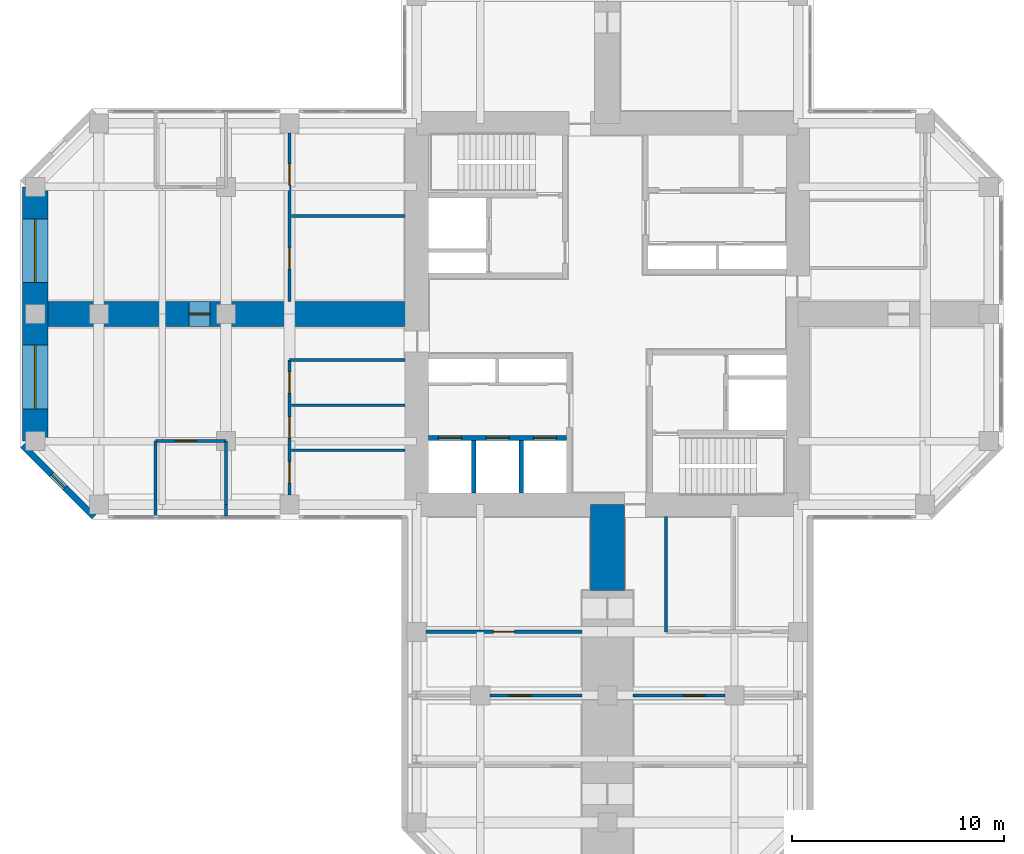
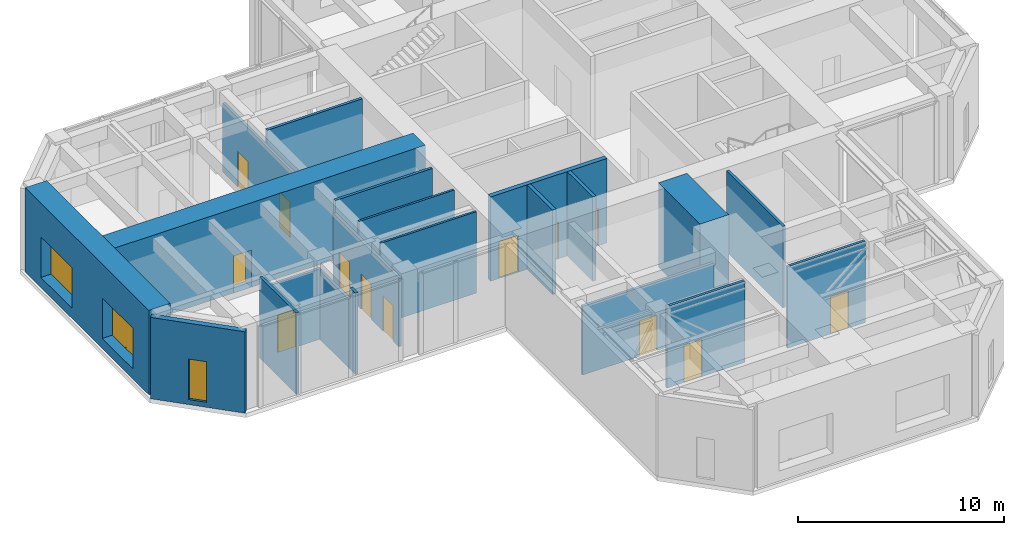
# One storey, part 6 of 10: 21 walls, 13 doors, 3 windows, 16 openings.
"""IFC4 building model written with IfcOpenShell, lengths in metres."""

from ifc_helpers import new_model, si_unit, direction, frame, frame_2d, origin, place, context, subcontext, project, spatial, rectangle, hollow_rectangle, extrude, material, layer, layer_set, constituent, constituent_set, type_object, element, fill, save


model = new_model("IFC4")

# Units and contexts
model_context = context("Model", 3, precision=1e-05, world=origin(), true_north=direction((0.0, 1.0)))
body_context = subcontext(model_context, "Body", "Model", "MODEL_VIEW")
ifc_project = project(units=[si_unit("LENGTHUNIT", "METRE"), si_unit("AREAUNIT", "SQUARE_METRE"), si_unit("VOLUMEUNIT", "CUBIC_METRE"), si_unit("PLANEANGLEUNIT", "RADIAN"), si_unit("MASSUNIT", "GRAM", prefix="KILO")], contexts=[model_context])

# Site, building, storey
site_placement = place(None, origin())
site = spatial("IfcSite", under=ifc_project, at=site_placement, CompositionType="ELEMENT")
building_placement = place(site_placement, origin())
building = spatial("IfcBuilding", under=site, at=building_placement, Name="Torre Cruceta", CompositionType="ELEMENT")
storey_placement = place(building_placement, frame((0.0, 0.0, 217.10009765625)))
storey = spatial("IfcBuildingStorey", under=building, at=storey_placement, Name="L55", CompositionType="ELEMENT", Elevation=217.10009765625)

# Wall, openings, doors
ifc_material_1 = material(Name="Concrete G60 (fck 60 MPa)", Category="concrete")
ifc_layer_1 = layer(ifc_material_1, 0.25)
ifc_layer_set_1 = layer_set([ifc_layer_1], Name="Concrete G60 (fck 60 MPa)")
wall_type_1 = type_object("IfcWallType", Name="CORE INNER WALL 250 G60", PredefinedType="SHEAR", material=ifc_layer_set_1)
wall_1_placement = place(storey_placement, frame((-1.925048828125, -5.85009765625, 0.0), z_axis=(0.0, 0.0, 1.0), x_axis=(-1.0, 0.0, 0.0)))
wall_1 = element("IfcWall", 1, at=wall_1_placement, inside=storey, type_object=wall_type_1, Name="CW4 L55 SW-LV", PredefinedType="SHEAR", context=body_context, shape_type="SweptSolid", body=[
    extrude(rectangle(XDim=6.52490234375, YDim=0.25, at=frame_2d((3.262451171875, 0.0))), origin(), (0.0, 0.0, 1.0), 5.0),
])
opening_1_placement = place(wall_1_placement, frame((0.470947265625, 0.0, 0.0)))
opening_1 = element("IfcOpeningElement", 2, at=opening_1_placement, cuts=wall_1, Name="Opening LD1", PredefinedType="OPENING", context=body_context, shape_type="SweptSolid", body=[
    extrude(rectangle(XDim=1.10009765625, YDim=2.199951171875, at=frame_2d((0.550048828125, 1.10009765625))), frame((0.0, 0.135009765625, 0.0), z_axis=(0.0, -1.0, 0.0), x_axis=(1.0, 0.0, 0.0)), (0.0, 0.0, 1.0), 0.27001953125),
])
opening_2_placement = place(wall_1_placement, frame((2.71240234375, 0.0, 0.0)))
opening_2 = element("IfcOpeningElement", 3, at=opening_2_placement, cuts=wall_1, Name="Opening LD1", PredefinedType="OPENING", context=body_context, shape_type="SweptSolid", body=[
    extrude(rectangle(XDim=1.10009765625, YDim=2.199951171875, at=frame_2d((0.550048828125, 1.10009765625))), frame((0.0, 0.135009765625, 0.0), z_axis=(0.0, -1.0, 0.0), x_axis=(1.0, 0.0, 0.0)), (0.0, 0.0, 1.0), 0.27001953125),
])
opening_3_placement = place(wall_1_placement, frame((4.9541015625, 0.0, 0.0)))
opening_3 = element("IfcOpeningElement", 4, at=opening_3_placement, cuts=wall_1, Name="Opening LD1", PredefinedType="OPENING", context=body_context, shape_type="SweptSolid", body=[
    extrude(rectangle(XDim=1.10009765625, YDim=2.199951171875, at=frame_2d((0.550048828125, 1.10009765625))), frame((0.0, 0.135009765625, 0.0), z_axis=(0.0, -1.0, 0.0), x_axis=(1.0, 0.0, 0.0)), (0.0, 0.0, 1.0), 0.27001953125),
])
ifc_material_2 = material(Name="Stainless steel 1.4401", Category="steel")
door_type_1 = type_object("IfcDoorType", Name="LIFT LANDING DOOR 1100X2200", OperationType="DOUBLE_DOOR_SLIDING", PredefinedType="DOOR", material=ifc_material_2)
door_1_placement = place(opening_1_placement, origin())
door_1 = element("IfcDoor", 5, at=door_1_placement, inside=storey, type_object=door_type_1, Name="Lift landing door R1", OperationType="DOUBLE_DOOR_SLIDING", OverallHeight=2.199951171875, OverallWidth=1.10009765625, PredefinedType="DOOR", context=body_context, shape_type="SweptSolid", body=[
    extrude(rectangle(XDim=1.10009765625, YDim=2.199951171875, at=frame_2d((0.550048828125, 1.10009765625))), frame((0.0, 0.02490234375, 0.0), z_axis=(0.0, -1.0, 0.0), x_axis=(1.0, 0.0, 0.0)), (0.0, 0.0, 1.0), 0.050048828125),
])
fill(opening_1, door_1)
door_2_placement = place(opening_2_placement, origin())
door_2 = element("IfcDoor", 6, at=door_2_placement, inside=storey, type_object=door_type_1, Name="Lift landing door R2", OperationType="DOUBLE_DOOR_SLIDING", OverallHeight=2.199951171875, OverallWidth=1.10009765625, PredefinedType="DOOR", context=body_context, shape_type="SweptSolid", body=[
    extrude(rectangle(XDim=1.10009765625, YDim=2.199951171875, at=frame_2d((0.550048828125, 1.10009765625))), frame((0.0, 0.02490234375, 0.0), z_axis=(0.0, -1.0, 0.0), x_axis=(1.0, 0.0, 0.0)), (0.0, 0.0, 1.0), 0.050048828125),
])
fill(opening_2, door_2)
door_3_placement = place(opening_3_placement, origin())
door_3 = element("IfcDoor", 7, at=door_3_placement, inside=storey, type_object=door_type_1, Name="Lift landing door R3", OperationType="DOUBLE_DOOR_SLIDING", OverallHeight=2.199951171875, OverallWidth=1.10009765625, PredefinedType="DOOR", context=body_context, shape_type="SweptSolid", body=[
    extrude(rectangle(XDim=1.10009765625, YDim=2.199951171875, at=frame_2d((0.550048828125, 1.10009765625))), frame((0.0, 0.02490234375, 0.0), z_axis=(0.0, -1.0, 0.0), x_axis=(1.0, 0.0, 0.0)), (0.0, 0.0, 1.0), 0.050048828125),
])
fill(opening_3, door_3)

# Wall, opening, window
ifc_material_3 = material(Name="Concrete G30 (fck 30 MPa)", Category="concrete")
ifc_layer_2 = layer(ifc_material_3, 0.300048828125)
ifc_layer_set_2 = layer_set([ifc_layer_2], Name="Concrete G30 (fck 30 MPa)")
wall_type_2 = type_object("IfcWallType", Name="EXPOSED CONCRETE FACADE WALL 300", PredefinedType="SOLIDWALL", material=ifc_layer_set_2)
wall_2_placement = place(storey_placement, frame((-27.60009765625, -6.2060546875, 0.0), z_axis=(0.0, 0.0, 1.0), x_axis=(0.707106781187, -0.707106781187, 0.0)))
wall_2 = element("IfcWall", 8, at=wall_2_placement, inside=storey, type_object=wall_type_2, Name="EW1 facade wall L55 W chamfer 13", PredefinedType="SOLIDWALL", context=body_context, shape_type="SweptSolid", body=[
    extrude(rectangle(XDim=4.75732421875, YDim=0.300048828125, at=frame_2d((2.378662109375, 0.0))), origin(), (0.0, 0.0, 1.0), 4.81982421875),
])
opening_4_placement = place(wall_2_placement, frame((1.9287109375, 0.0, 0.300048828125)))
opening_4 = element("IfcOpeningElement", 9, at=opening_4_placement, cuts=wall_2, Name="Opening WN5", PredefinedType="OPENING", context=body_context, shape_type="SweptSolid", body=[
    extrude(rectangle(XDim=0.89990234375, YDim=2.39990234375, at=frame_2d((0.449951171875, 1.199951171875))), frame((0.0, 0.159912109375, 0.0), z_axis=(0.0, -1.0, 0.0), x_axis=(1.0, 0.0, 0.0)), (0.0, 0.0, 1.0), 0.320068359375),
])
ifc_material_4 = material(Name="Aluminium window frame", Category="aluminium")
ifc_constituent_1 = constituent(ifc_material_4, Name="Frame")
ifc_material_5 = material(Name="Laminated insulating glass unit, low-iron clear", Category="glass")
ifc_constituent_2 = constituent(ifc_material_5, Name="Glazing")
ifc_constituent_set_1 = constituent_set(constituents=[ifc_constituent_1, ifc_constituent_2], Name="Aluminium window")
window_type_1 = type_object("IfcWindowType", Name="CHAMFER SLOT WINDOW 900X2400", PartitioningType="SINGLE_PANEL", PredefinedType="WINDOW", material=ifc_constituent_set_1)
window_1_placement = place(opening_4_placement, origin())
window_1 = element("IfcWindow", 10, at=window_1_placement, inside=storey, type_object=window_type_1, Name="WN5 L55 W 1", OverallHeight=2.39990234375, OverallWidth=0.89990234375, PartitioningType="SINGLE_PANEL", PredefinedType="WINDOW", context=body_context, shape_type="SweptSolid", body=[
    extrude(hollow_rectangle(XDim=0.89990234375, YDim=2.39990234375, WallThickness=0.06005859375, at=frame_2d((0.449951171875, 1.199951171875))), frame((0.0, 0.030029296875, 0.0), z_axis=(0.0, -1.0, 0.0), x_axis=(1.0, 0.0, 0.0)), (0.0, 0.0, 1.0), 0.06005859375),
    extrude(rectangle(XDim=0.77880859375, YDim=2.27880859375, at=frame_2d((0.449951171875, 1.199951171875))), frame((0.0, 0.030029296875, 0.0), z_axis=(0.0, -1.0, 0.0), x_axis=(1.0, 0.0, 0.0)), (0.0, 0.0, 1.0), 0.06005859375),
])
fill(opening_4, window_1)

# Walls
ifc_material_6 = material(Name="Concrete G35 (fck 35 MPa)", Category="concrete")
ifc_layer_3 = layer(ifc_material_6, 0.199951171875)
ifc_layer_set_3 = layer_set([ifc_layer_3], Name="Concrete G35 (fck 35 MPa)")
wall_type_3 = type_object("IfcWallType", Name="LIFT SHAFT WALL 200", PredefinedType="PARTITIONING", material=ifc_layer_set_3)
for number, where, z_axis, x_axis, name in (
    (11, (-4.066650390625, -5.97509765625, 0.0), (0.0, 0.0, 1.0), (0.0, -1.0, 0.0), "SW1 L55 SW-LS1"),
    (12, (-6.308349609375, -5.97509765625, 0.0), (0.0, 0.0, 1.0), (0.0, -1.0, 0.0), "SW1 L55 SW-LS2"),
):
    element("IfcWall", number, at=place(storey_placement, frame(where, z_axis=z_axis, x_axis=x_axis)), inside=storey, type_object=wall_type_3, Name=name, PredefinedType="PARTITIONING", context=body_context, shape_type="SweptSolid", body=[
        extrude(rectangle(XDim=2.474853515625, YDim=0.199951171875, at=frame_2d((1.2373046875, 0.0))), origin(), (0.0, 0.0, 1.0), 5.0),
    ])

# Wall, openings, windows
ifc_material_7 = material(Name="Concrete G60 (fck 60 MPa)", Category="concrete")
ifc_layer_4 = layer(ifc_material_7, 1.199951171875)
ifc_layer_set_4 = layer_set([ifc_layer_4], Name="Concrete G60 (fck 60 MPa)")
wall_type_4 = type_object("IfcWallType", Name="NOSE WALL 1200 G60", PredefinedType="SHEAR", material=ifc_layer_set_4)
wall_3_placement = place(storey_placement, frame((-27.0, 6.0, 0.0), z_axis=(0.0, 0.0, 1.0), x_axis=(0.0, -1.0, 0.0)))
wall_3 = element("IfcWall", 13, at=wall_3_placement, inside=storey, type_object=wall_type_4, Name="NW1 nose wall L55 W", PredefinedType="SHEAR", context=body_context, shape_type="SweptSolid", body=[
    extrude(rectangle(XDim=12.0, YDim=1.199951171875, at=frame_2d((6.0, 0.0))), origin(), (0.0, 0.0, 1.0), 5.0),
])
opening_5_placement = place(wall_3_placement, frame((1.52490234375, 0.0, 0.60009765625)))
opening_5 = element("IfcOpeningElement", 14, at=opening_5_placement, cuts=wall_3, Name="Opening WN6", PredefinedType="OPENING", context=body_context, shape_type="SweptSolid", body=[
    extrude(rectangle(XDim=3.0, YDim=2.39990234375, at=frame_2d((1.5, 1.199951171875))), frame((0.0, 0.60986328125, 0.0), z_axis=(0.0, -1.0, 0.0), x_axis=(1.0, 0.0, 0.0)), (0.0, 0.0, 1.0), 1.219970703125),
])
opening_6_placement = place(wall_3_placement, frame((7.47509765625, 0.0, 0.60009765625)))
opening_6 = element("IfcOpeningElement", 15, at=opening_6_placement, cuts=wall_3, Name="Opening WN6", PredefinedType="OPENING", context=body_context, shape_type="SweptSolid", body=[
    extrude(rectangle(XDim=3.0, YDim=2.39990234375, at=frame_2d((1.5, 1.199951171875))), frame((0.0, 0.60986328125, 0.0), z_axis=(0.0, -1.0, 0.0), x_axis=(1.0, 0.0, 0.0)), (0.0, 0.0, 1.0), 1.219970703125),
])
ifc_material_8 = material(Name="Aluminium window frame", Category="aluminium")
ifc_constituent_3 = constituent(ifc_material_8, Name="Frame")
ifc_material_9 = material(Name="Laminated insulating glass unit, low-iron clear", Category="glass")
ifc_constituent_4 = constituent(ifc_material_9, Name="Glazing")
ifc_constituent_set_2 = constituent_set(constituents=[ifc_constituent_3, ifc_constituent_4], Name="Aluminium window")
window_type_2 = type_object("IfcWindowType", Name="NOSE WALL WINDOW 3000X2400", PartitioningType="SINGLE_PANEL", PredefinedType="WINDOW", material=ifc_constituent_set_2)
window_2_placement = place(opening_5_placement, origin())
window_2 = element("IfcWindow", 16, at=window_2_placement, inside=storey, type_object=window_type_2, Name="WN6 L55 W 1", OverallHeight=2.39990234375, OverallWidth=3.0, PartitioningType="SINGLE_PANEL", PredefinedType="WINDOW", context=body_context, shape_type="SweptSolid", body=[
    extrude(hollow_rectangle(XDim=3.0, YDim=2.39990234375, WallThickness=0.06005859375, at=frame_2d((1.5, 1.199951171875))), frame((0.0, 0.030029296875, 0.0), z_axis=(0.0, -1.0, 0.0), x_axis=(1.0, 0.0, 0.0)), (0.0, 0.0, 1.0), 0.06005859375),
    extrude(rectangle(XDim=2.87890625, YDim=2.27880859375, at=frame_2d((1.5, 1.199951171875))), frame((0.0, 0.030029296875, 0.0), z_axis=(0.0, -1.0, 0.0), x_axis=(1.0, 0.0, 0.0)), (0.0, 0.0, 1.0), 0.06005859375),
])
fill(opening_5, window_2)
window_3_placement = place(opening_6_placement, origin())
window_3 = element("IfcWindow", 17, at=window_3_placement, inside=storey, type_object=window_type_2, Name="WN6 L55 W 2", OverallHeight=2.39990234375, OverallWidth=3.0, PartitioningType="SINGLE_PANEL", PredefinedType="WINDOW", context=body_context, shape_type="SweptSolid", body=[
    extrude(hollow_rectangle(XDim=3.0, YDim=2.39990234375, WallThickness=0.06005859375, at=frame_2d((1.5, 1.199951171875))), frame((0.0, 0.030029296875, 0.0), z_axis=(0.0, -1.0, 0.0), x_axis=(1.0, 0.0, 0.0)), (0.0, 0.0, 1.0), 0.06005859375),
    extrude(rectangle(XDim=2.87890625, YDim=2.27880859375, at=frame_2d((1.5, 1.199951171875))), frame((0.0, 0.030029296875, 0.0), z_axis=(0.0, -1.0, 0.0), x_axis=(1.0, 0.0, 0.0)), (0.0, 0.0, 1.0), 0.06005859375),
])
fill(opening_6, window_3)

# Wall
ifc_material_10 = material(Name="Plasterboard on steel studs", Category="steel")
ifc_layer_5 = layer(ifc_material_10, 0.14990234375)
ifc_layer_set_5 = layer_set([ifc_layer_5], Name="Plasterboard on steel studs")
wall_type_5 = type_object("IfcWallType", Name="PARTITION 150", PredefinedType="PARTITIONING", material=ifc_layer_set_5)
wall_4_placement = place(storey_placement, frame((2.77490234375, -9.550048828125, 0.0), z_axis=(0.0, 0.0, 1.0), x_axis=(0.0, -1.0, 0.0)))
element("IfcWall", 18, at=wall_4_placement, inside=storey, type_object=wall_type_5, Name="PT1 L55-S-BSL", PredefinedType="PARTITIONING", context=body_context, shape_type="SweptSolid", body=[
    extrude(rectangle(XDim=5.449951171875, YDim=0.14990234375, at=frame_2d((2.72509765625, 0.0))), origin(), (0.0, 0.0, 1.0), 4.81982421875),
])

# Wall, opening, door
wall_5_placement = place(storey_placement, frame((-8.550048828125, -15.0, 0.0), z_axis=(0.0, 0.0, 1.0), x_axis=(1.0, 0.0, 0.0)))
wall_5 = element("IfcWall", 19, at=wall_5_placement, inside=storey, type_object=wall_type_5, Name="PT1 L55-S-BFR", PredefinedType="PARTITIONING", context=body_context, shape_type="SweptSolid", body=[
    extrude(rectangle(XDim=7.35009765625, YDim=0.14990234375, at=frame_2d((3.675048828125, 0.0))), origin(), (0.0, 0.0, 1.0), 4.06982421875),
])
opening_7_placement = place(wall_5_placement, frame((3.175048828125, 0.0, 0.0)))
opening_7 = element("IfcOpeningElement", 20, at=opening_7_placement, cuts=wall_5, Name="Opening D3", PredefinedType="OPENING", context=body_context, shape_type="SweptSolid", body=[
    extrude(rectangle(XDim=1.0, YDim=2.10009765625, at=frame_2d((0.5, 1.050048828125))), frame((0.0, 0.0849609375, 0.0), z_axis=(0.0, -1.0, 0.0), x_axis=(1.0, 0.0, 0.0)), (0.0, 0.0, 1.0), 0.169921875),
])
ifc_material_11 = material(Name="Steel DX51D", Category="steel")
ifc_constituent_5 = constituent(ifc_material_11, Name="Leaf and frame")
ifc_material_12 = material(Name="Polyester powder coating", Category="paint")
ifc_constituent_6 = constituent(ifc_material_12, Name="Finish")
ifc_constituent_set_3 = constituent_set(constituents=[ifc_constituent_5, ifc_constituent_6], Name="Steel fire door")
door_type_2 = type_object("IfcDoorType", Name="FIRE DOOR 1000X2100", OperationType="SINGLE_SWING_LEFT", PredefinedType="DOOR", material=ifc_constituent_set_3)
door_4_placement = place(opening_7_placement, frame((1.0, 0.0, 0.0), z_axis=(0.0, 0.0, 1.0), x_axis=(-1.0, 0.0, 0.0)))
door_4 = element("IfcDoor", 21, at=door_4_placement, inside=storey, type_object=door_type_2, Name="D3 L55-S-BFR-D1", OperationType="SINGLE_SWING_LEFT", OverallHeight=2.10009765625, OverallWidth=1.0, PredefinedType="DOOR", context=body_context, shape_type="SweptSolid", body=[
    extrude(rectangle(XDim=1.0, YDim=2.10009765625, at=frame_2d((0.5, 1.050048828125))), frame((0.0, 0.025146484375, 0.0), z_axis=(0.0, -1.0, 0.0), x_axis=(1.0, 0.0, 0.0)), (0.0, 0.0, 1.0), 0.050048828125),
])
fill(opening_7, door_4)

wall_6_placement = place(storey_placement, frame((1.199951171875, -18.0, 0.0), z_axis=(0.0, 0.0, 1.0), x_axis=(1.0, 0.0, 0.0)))
wall_6 = element("IfcWall", 22, at=wall_6_placement, inside=storey, type_object=wall_type_5, Name="PT1 L55-S-BXL1", PredefinedType="PARTITIONING", context=body_context, shape_type="SweptSolid", body=[
    extrude(rectangle(XDim=4.35009765625, YDim=0.14990234375, at=frame_2d((2.175048828125, 0.0))), origin(), (0.0, 0.0, 1.0), 4.81982421875),
])
opening_8_placement = place(wall_6_placement, frame((2.39990234375, 0.0, 0.0)))
opening_8 = element("IfcOpeningElement", 23, at=opening_8_placement, cuts=wall_6, Name="Opening D14", PredefinedType="OPENING", context=body_context, shape_type="SweptSolid", body=[
    extrude(rectangle(XDim=1.0, YDim=2.199951171875, at=frame_2d((0.5, 1.10009765625))), frame((0.0, 0.0849609375, 0.0), z_axis=(0.0, -1.0, 0.0), x_axis=(1.0, 0.0, 0.0)), (0.0, 0.0, 1.0), 0.169921875),
])
ifc_material_13 = material(Name="Steel DX51D", Category="steel")
ifc_constituent_7 = constituent(ifc_material_13, Name="Leaf and frame")
ifc_material_14 = material(Name="Polyester powder coating", Category="paint")
ifc_constituent_8 = constituent(ifc_material_14, Name="Finish")
ifc_material_15 = material(Name="Fire-resisting glass", Category="glass")
ifc_constituent_9 = constituent(ifc_material_15, Name="Vision panel")
ifc_constituent_set_4 = constituent_set(constituents=[ifc_constituent_7, ifc_constituent_8, ifc_constituent_9], Name="Steel fire door with vision panel")
door_type_3 = type_object("IfcDoorType", Name="FIRE DOOR VISION PANEL 1000X2200", OperationType="SINGLE_SWING_RIGHT", PredefinedType="DOOR", material=ifc_constituent_set_4)
door_5_placement = place(opening_8_placement, frame((1.0, 0.0, 0.0), z_axis=(0.0, 0.0, 1.0), x_axis=(-1.0, 0.0, 0.0)))
door_5 = element("IfcDoor", 24, at=door_5_placement, inside=storey, type_object=door_type_3, Name="D14 L55-S-BXL1-D1", OperationType="SINGLE_SWING_RIGHT", OverallHeight=2.199951171875, OverallWidth=1.0, PredefinedType="DOOR", context=body_context, shape_type="SweptSolid", body=[
    extrude(rectangle(XDim=1.0, YDim=2.199951171875, at=frame_2d((0.5, 1.10009765625))), frame((0.0, 0.025146484375, 0.0), z_axis=(0.0, -1.0, 0.0), x_axis=(1.0, 0.0, 0.0)), (0.0, 0.0, 1.0), 0.050048828125),
])
fill(opening_8, door_5)

wall_7_placement = place(storey_placement, frame((-5.550048828125, -18.0, 0.0), z_axis=(0.0, 0.0, 1.0), x_axis=(1.0, 0.0, 0.0)))
wall_7 = element("IfcWall", 25, at=wall_7_placement, inside=storey, type_object=wall_type_5, Name="PT1 L55-S-BXR1", PredefinedType="PARTITIONING", context=body_context, shape_type="SweptSolid", body=[
    extrude(rectangle(XDim=4.35009765625, YDim=0.14990234375, at=frame_2d((2.175048828125, 0.0))), origin(), (0.0, 0.0, 1.0), 4.81982421875),
])
opening_9_placement = place(wall_7_placement, frame((0.949951171875, 0.0, 0.0)))
opening_9 = element("IfcOpeningElement", 26, at=opening_9_placement, cuts=wall_7, Name="Opening D14", PredefinedType="OPENING", context=body_context, shape_type="SweptSolid", body=[
    extrude(rectangle(XDim=1.0, YDim=2.199951171875, at=frame_2d((0.5, 1.10009765625))), frame((0.0, 0.0849609375, 0.0), z_axis=(0.0, -1.0, 0.0), x_axis=(1.0, 0.0, 0.0)), (0.0, 0.0, 1.0), 0.169921875),
])
door_6_placement = place(opening_9_placement, origin())
door_6 = element("IfcDoor", 27, at=door_6_placement, inside=storey, type_object=door_type_3, Name="D14 L55-S-BXR1-D1", OperationType="SINGLE_SWING_RIGHT", OverallHeight=2.199951171875, OverallWidth=1.0, PredefinedType="DOOR", context=body_context, shape_type="SweptSolid", body=[
    extrude(rectangle(XDim=1.0, YDim=2.199951171875, at=frame_2d((0.5, 1.10009765625))), frame((0.0, 0.02490234375, 0.0), z_axis=(0.0, -1.0, 0.0), x_axis=(1.0, 0.0, 0.0)), (0.0, 0.0, 1.0), 0.050048828125),
])
fill(opening_9, door_6)

# Wall, openings, doors
wall_8_placement = place(storey_placement, frame((-15.0, -2.175048828125, 0.0), z_axis=(0.0, 0.0, 1.0), x_axis=(0.0, -1.0, 0.0)))
wall_8 = element("IfcWall", 28, at=wall_8_placement, inside=storey, type_object=wall_type_5, Name="PT1 L55-W-BFL", PredefinedType="PARTITIONING", context=body_context, shape_type="SweptSolid", body=[
    extrude(rectangle(XDim=6.375, YDim=0.14990234375, at=frame_2d((3.1875, 0.0))), origin(), (0.0, 0.0, 1.0), 4.06982421875),
])
opening_10_placement = place(wall_8_placement, frame((0.5625, 0.0, 0.0)))
opening_10 = element("IfcOpeningElement", 29, at=opening_10_placement, cuts=wall_8, Name="Opening D3", PredefinedType="OPENING", context=body_context, shape_type="SweptSolid", body=[
    extrude(rectangle(XDim=1.0, YDim=2.10009765625, at=frame_2d((0.5, 1.050048828125))), frame((0.0, 0.0849609375, 0.0), z_axis=(0.0, -1.0, 0.0), x_axis=(1.0, 0.0, 0.0)), (0.0, 0.0, 1.0), 0.169921875),
])
opening_11_placement = place(wall_8_placement, frame((2.6875, 0.0, 0.0)))
opening_11 = element("IfcOpeningElement", 30, at=opening_11_placement, cuts=wall_8, Name="Opening D3", PredefinedType="OPENING", context=body_context, shape_type="SweptSolid", body=[
    extrude(rectangle(XDim=1.0, YDim=2.10009765625, at=frame_2d((0.5, 1.050048828125))), frame((0.0, 0.0849609375, 0.0), z_axis=(0.0, -1.0, 0.0), x_axis=(1.0, 0.0, 0.0)), (0.0, 0.0, 1.0), 0.169921875),
])
opening_12_placement = place(wall_8_placement, frame((4.8125, 0.0, 0.0)))
opening_12 = element("IfcOpeningElement", 31, at=opening_12_placement, cuts=wall_8, Name="Opening D3", PredefinedType="OPENING", context=body_context, shape_type="SweptSolid", body=[
    extrude(rectangle(XDim=1.0, YDim=2.10009765625, at=frame_2d((0.5, 1.050048828125))), frame((0.0, 0.0849609375, 0.0), z_axis=(0.0, -1.0, 0.0), x_axis=(1.0, 0.0, 0.0)), (0.0, 0.0, 1.0), 0.169921875),
])
door_7_placement = place(opening_10_placement, origin())
door_7 = element("IfcDoor", 32, at=door_7_placement, inside=storey, type_object=door_type_2, Name="D3 L55-W-BFL-D1", OperationType="SINGLE_SWING_LEFT", OverallHeight=2.10009765625, OverallWidth=1.0, PredefinedType="DOOR", context=body_context, shape_type="SweptSolid", body=[
    extrude(rectangle(XDim=1.0, YDim=2.10009765625, at=frame_2d((0.5, 1.050048828125))), frame((0.0, 0.02490234375, 0.0), z_axis=(0.0, -1.0, 0.0), x_axis=(1.0, 0.0, 0.0)), (0.0, 0.0, 1.0), 0.050048828125),
])
fill(opening_10, door_7)
door_8_placement = place(opening_11_placement, origin())
door_8 = element("IfcDoor", 33, at=door_8_placement, inside=storey, type_object=door_type_2, Name="D3 L55-W-BFL-D2", OperationType="SINGLE_SWING_LEFT", OverallHeight=2.10009765625, OverallWidth=1.0, PredefinedType="DOOR", context=body_context, shape_type="SweptSolid", body=[
    extrude(rectangle(XDim=1.0, YDim=2.10009765625, at=frame_2d((0.5, 1.050048828125))), frame((0.0, 0.02490234375, 0.0), z_axis=(0.0, -1.0, 0.0), x_axis=(1.0, 0.0, 0.0)), (0.0, 0.0, 1.0), 0.050048828125),
])
fill(opening_11, door_8)
door_9_placement = place(opening_12_placement, origin())
door_9 = element("IfcDoor", 34, at=door_9_placement, inside=storey, type_object=door_type_2, Name="D3 L55-W-BFL-D3", OperationType="SINGLE_SWING_LEFT", OverallHeight=2.10009765625, OverallWidth=1.0, PredefinedType="DOOR", context=body_context, shape_type="SweptSolid", body=[
    extrude(rectangle(XDim=1.0, YDim=2.10009765625, at=frame_2d((0.5, 1.050048828125))), frame((0.0, 0.02490234375, 0.0), z_axis=(0.0, -1.0, 0.0), x_axis=(1.0, 0.0, 0.0)), (0.0, 0.0, 1.0), 0.050048828125),
])
fill(opening_12, door_9)

# Wall
wall_9_placement = place(storey_placement, frame((-9.550048828125, -2.175048828125, 0.0), z_axis=(0.0, 0.0, 1.0), x_axis=(-1.0, 0.0, 0.0)))
element("IfcWall", 35, at=wall_9_placement, inside=storey, type_object=wall_type_5, Name="PT1 L55-W-BSL", PredefinedType="PARTITIONING", context=body_context, shape_type="SweptSolid", body=[
    extrude(rectangle(XDim=5.449951171875, YDim=0.14990234375, at=frame_2d((2.72509765625, 0.0))), origin(), (0.0, 0.0, 1.0), 4.81982421875),
])

# Wall, openings, doors
wall_10_placement = place(storey_placement, frame((-15.0, 8.550048828125, 0.0), z_axis=(0.0, 0.0, 1.0), x_axis=(0.0, -1.0, 0.0)))
wall_10 = element("IfcWall", 36, at=wall_10_placement, inside=storey, type_object=wall_type_5, Name="PT1 L55-W-BFR", PredefinedType="PARTITIONING", context=body_context, shape_type="SweptSolid", body=[
    extrude(rectangle(XDim=7.949951171875, YDim=0.14990234375, at=frame_2d((3.97509765625, 0.0))), origin(), (0.0, 0.0, 1.0), 4.06982421875),
])
opening_13_placement = place(wall_10_placement, frame((1.46240234375, 0.0, 0.0)))
opening_13 = element("IfcOpeningElement", 37, at=opening_13_placement, cuts=wall_10, Name="Opening D3", PredefinedType="OPENING", context=body_context, shape_type="SweptSolid", body=[
    extrude(rectangle(XDim=1.0, YDim=2.10009765625, at=frame_2d((0.5, 1.050048828125))), frame((0.0, 0.0849609375, 0.0), z_axis=(0.0, -1.0, 0.0), x_axis=(1.0, 0.0, 0.0)), (0.0, 0.0, 1.0), 0.169921875),
])
opening_14_placement = place(wall_10_placement, frame((5.4375, 0.0, 0.0)))
opening_14 = element("IfcOpeningElement", 38, at=opening_14_placement, cuts=wall_10, Name="Opening D3", PredefinedType="OPENING", context=body_context, shape_type="SweptSolid", body=[
    extrude(rectangle(XDim=1.0, YDim=2.10009765625, at=frame_2d((0.5, 1.050048828125))), frame((0.0, 0.0849609375, 0.0), z_axis=(0.0, -1.0, 0.0), x_axis=(1.0, 0.0, 0.0)), (0.0, 0.0, 1.0), 0.169921875),
])
door_10_placement = place(opening_13_placement, origin())
door_10 = element("IfcDoor", 39, at=door_10_placement, inside=storey, type_object=door_type_2, Name="D3 L55-W-BFR-D1", OperationType="SINGLE_SWING_RIGHT", OverallHeight=2.10009765625, OverallWidth=1.0, PredefinedType="DOOR", context=body_context, shape_type="SweptSolid", body=[
    extrude(rectangle(XDim=1.0, YDim=2.10009765625, at=frame_2d((0.5, 1.050048828125))), frame((0.0, 0.02490234375, 0.0), z_axis=(0.0, -1.0, 0.0), x_axis=(1.0, 0.0, 0.0)), (0.0, 0.0, 1.0), 0.050048828125),
])
fill(opening_13, door_10)
door_11_placement = place(opening_14_placement, origin())
door_11 = element("IfcDoor", 40, at=door_11_placement, inside=storey, type_object=door_type_2, Name="D3 L55-W-BFR-D2", OperationType="SINGLE_SWING_LEFT", OverallHeight=2.10009765625, OverallWidth=1.0, PredefinedType="DOOR", context=body_context, shape_type="SweptSolid", body=[
    extrude(rectangle(XDim=1.0, YDim=2.10009765625, at=frame_2d((0.5, 1.050048828125))), frame((0.0, 0.02490234375, 0.0), z_axis=(0.0, -1.0, 0.0), x_axis=(1.0, 0.0, 0.0)), (0.0, 0.0, 1.0), 0.050048828125),
])
fill(opening_14, door_11)

# Wall
wall_11_placement = place(storey_placement, frame((-9.550048828125, 4.625, 0.0), z_axis=(0.0, 0.0, 1.0), x_axis=(-1.0, 0.0, 0.0)))
element("IfcWall", 41, at=wall_11_placement, inside=storey, type_object=wall_type_5, Name="PT1 L55-W-BDR1", PredefinedType="PARTITIONING", context=body_context, shape_type="SweptSolid", body=[
    extrude(rectangle(XDim=5.349853515625, YDim=0.14990234375, at=frame_2d((2.6748046875, 0.0))), origin(), (0.0, 0.0, 1.0), 4.81982421875),
])

# Wall, opening, door
wall_12_placement = place(storey_placement, frame((-18.0, -6.0, 0.0), z_axis=(0.0, 0.0, 1.0), x_axis=(-1.0, 0.0, 0.0)))
wall_12 = element("IfcWall", 42, at=wall_12_placement, inside=storey, type_object=wall_type_5, Name="PT1 L55-W-SRW", PredefinedType="PARTITIONING", context=body_context, shape_type="SweptSolid", body=[
    extrude(rectangle(XDim=3.320068359375, YDim=0.14990234375, at=frame_2d((1.66015625, 0.0))), origin(), (0.0, 0.0, 1.0), 4.169921875),
])
opening_15_placement = place(wall_12_placement, frame((1.39990234375, 0.0, 0.0)))
opening_15 = element("IfcOpeningElement", 43, at=opening_15_placement, cuts=wall_12, Name="Opening D14", PredefinedType="OPENING", context=body_context, shape_type="SweptSolid", body=[
    extrude(rectangle(XDim=1.0, YDim=2.199951171875, at=frame_2d((0.5, 1.10009765625))), frame((0.0, 0.0849609375, 0.0), z_axis=(0.0, -1.0, 0.0), x_axis=(1.0, 0.0, 0.0)), (0.0, 0.0, 1.0), 0.169921875),
])
door_12_placement = place(opening_15_placement, origin())
door_12 = element("IfcDoor", 44, at=door_12_placement, inside=storey, type_object=door_type_3, Name="D14 L55-W-SRW-D1", OperationType="SINGLE_SWING_RIGHT", OverallHeight=2.199951171875, OverallWidth=1.0, PredefinedType="DOOR", context=body_context, shape_type="SweptSolid", body=[
    extrude(rectangle(XDim=1.0, YDim=2.199951171875, at=frame_2d((0.5, 1.10009765625))), frame((0.0, 0.02490234375, 0.0), z_axis=(0.0, -1.0, 0.0), x_axis=(1.0, 0.0, 0.0)), (0.0, 0.0, 1.0), 0.050048828125),
])
fill(opening_15, door_12)

# Walls
wall_13_placement = place(storey_placement, frame((-18.0, -6.0, 0.0), z_axis=(0.0, 0.0, 1.0), x_axis=(0.0, -1.0, 0.0)))
element("IfcWall", 45, at=wall_13_placement, inside=storey, type_object=wall_type_5, Name="PT1 L55-W-SRE1", PredefinedType="PARTITIONING", context=body_context, shape_type="SweptSolid", body=[
    extrude(rectangle(XDim=3.0, YDim=0.14990234375, at=frame_2d((1.5, 0.0))), origin(), (0.0, 0.0, 1.0), 4.06982421875),
])
wall_14_placement = place(storey_placement, frame((-18.0, -9.0, 0.0), z_axis=(0.0, 0.0, 1.0), x_axis=(0.0, -1.0, 0.0)))
element("IfcWall", 46, at=wall_14_placement, inside=storey, type_object=wall_type_5, Name="PT1 L55-W-SRE1 2", PredefinedType="PARTITIONING", context=body_context, shape_type="SweptSolid", body=[
    extrude(rectangle(XDim=0.530029296875, YDim=0.14990234375, at=frame_2d((0.26513671875, 0.0))), origin(), (0.0, 0.0, 1.0), 4.81982421875),
])
wall_15_placement = place(storey_placement, frame((-21.320068359375, -6.0, 0.0), z_axis=(0.0, 0.0, 1.0), x_axis=(0.0, -1.0, 0.0)))
element("IfcWall", 47, at=wall_15_placement, inside=storey, type_object=wall_type_5, Name="PT1 L55-W-SRE2", PredefinedType="PARTITIONING", context=body_context, shape_type="SweptSolid", body=[
    extrude(rectangle(XDim=3.530029296875, YDim=0.14990234375, at=frame_2d((1.76513671875, 0.0))), origin(), (0.0, 0.0, 1.0), 4.81982421875),
])

# Wall, opening, door
ifc_material_16 = material(Name="Concrete G60 (fck 60 MPa)", Category="concrete")
ifc_layer_6 = layer(ifc_material_16, 1.199951171875)
ifc_layer_set_6 = layer_set([ifc_layer_6], Name="Concrete G60 (fck 60 MPa)")
wall_type_6 = type_object("IfcWallType", Name="SPINE WALL 1200 G60", PredefinedType="SHEAR", material=ifc_layer_set_6)
wall_16_placement = place(storey_placement, frame((-9.0, 0.0, 0.0), z_axis=(0.0, 0.0, 1.0), x_axis=(-1.0, 0.0, 0.0)))
wall_16 = element("IfcWall", 48, at=wall_16_placement, inside=storey, type_object=wall_type_6, Name="SW3 spine wall L55 W", PredefinedType="SHEAR", context=body_context, shape_type="SweptSolid", body=[
    extrude(rectangle(XDim=18.0, YDim=1.199951171875, at=frame_2d((9.0, 0.0))), origin(), (0.0, 0.0, 1.0), 5.0),
])
opening_16_placement = place(wall_16_placement, frame((9.75, 0.0, 0.0)))
opening_16 = element("IfcOpeningElement", 49, at=opening_16_placement, cuts=wall_16, Name="Opening D14", PredefinedType="OPENING", context=body_context, shape_type="SweptSolid", body=[
    extrude(rectangle(XDim=1.0, YDim=2.199951171875, at=frame_2d((0.5, 1.10009765625))), frame((0.0, 0.60986328125, 0.0), z_axis=(0.0, -1.0, 0.0), x_axis=(1.0, 0.0, 0.0)), (0.0, 0.0, 1.0), 1.219970703125),
])
door_13_placement = place(opening_16_placement, frame((1.0, 0.0, 0.0), z_axis=(0.0, 0.0, 1.0), x_axis=(-1.0, 0.0, 0.0)))
door_13 = element("IfcDoor", 50, at=door_13_placement, inside=storey, type_object=door_type_3, Name="D14 L55-W-SP1", OperationType="SINGLE_SWING_RIGHT", OverallHeight=2.199951171875, OverallWidth=1.0, PredefinedType="DOOR", context=body_context, shape_type="SweptSolid", body=[
    extrude(rectangle(XDim=1.0, YDim=2.199951171875, at=frame_2d((0.5, 1.10009765625))), frame((0.0, 0.025146484375, 0.0), z_axis=(0.0, -1.0, 0.0), x_axis=(1.0, 0.0, 0.0)), (0.0, 0.0, 1.0), 0.050048828125),
])
fill(opening_16, door_13)

# Walls
ifc_material_17 = material(Name="Concrete G60 (fck 60 MPa)", Category="concrete")
ifc_layer_7 = layer(ifc_material_17, 1.60009765625)
ifc_layer_set_7 = layer_set([ifc_layer_7], Name="Concrete G60 (fck 60 MPa)")
wall_type_7 = type_object("IfcWallType", Name="SPINE WALL 1600 G60", PredefinedType="SHEAR", material=ifc_layer_set_7)
wall_17_placement = place(storey_placement, frame((0.0, -9.0, 0.0), z_axis=(0.0, 0.0, 1.0), x_axis=(0.0, -1.0, 0.0)))
element("IfcWall", 51, at=wall_17_placement, inside=storey, type_object=wall_type_7, Name="SW2 spine wall root L55 S", PredefinedType="SHEAR", context=body_context, shape_type="SweptSolid", body=[
    extrude(rectangle(XDim=4.050048828125, YDim=1.60009765625, at=frame_2d((2.02490234375, 0.0))), origin(), (0.0, 0.0, 1.0), 5.0),
])
ifc_material_18 = material(Name="Plasterboard on steel studs", Category="steel")
ifc_layer_8 = layer(ifc_material_18, 0.1201171875)
ifc_layer_set_8 = layer_set([ifc_layer_8], Name="Plasterboard on steel studs")
wall_type_8 = type_object("IfcWallType", Name="WC PARTITION 120", PredefinedType="PLUMBINGWALL", material=ifc_layer_set_8)
for number, where, z_axis, x_axis, name in (
    (52, (-9.550048828125, -4.300048828125, 0.0), (0.0, 0.0, 1.0), (-1.0, 0.0, 0.0), "PT5 L55-W-BDL1"),
    (53, (-9.550048828125, -6.425048828125, 0.0), (0.0, 0.0, 1.0), (-1.0, 0.0, 0.0), "PT5 L55-W-BDL2"),
):
    element("IfcWall", number, at=place(storey_placement, frame(where, z_axis=z_axis, x_axis=x_axis)), inside=storey, type_object=wall_type_8, Name=name, PredefinedType="PLUMBINGWALL", context=body_context, shape_type="SweptSolid", body=[
        extrude(rectangle(XDim=5.349853515625, YDim=0.1201171875, at=frame_2d((2.6748046875, 0.0))), origin(), (0.0, 0.0, 1.0), 4.81982421875),
    ])

save(model, "model.ifc")
